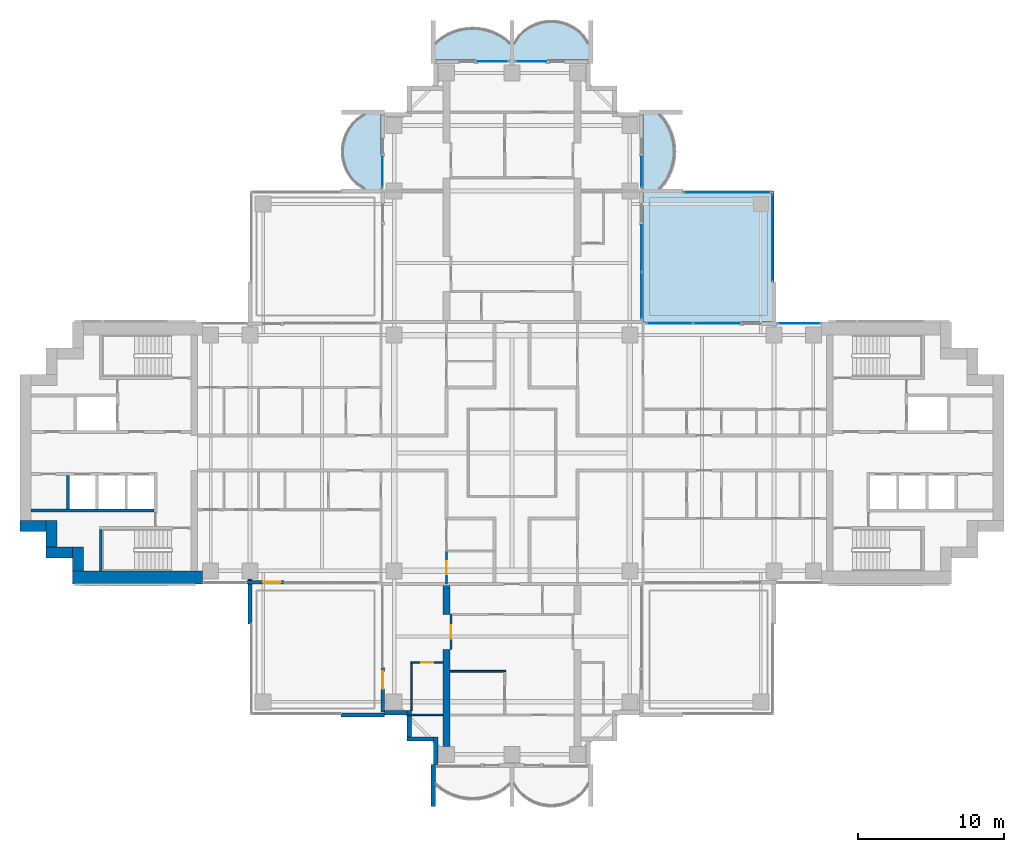
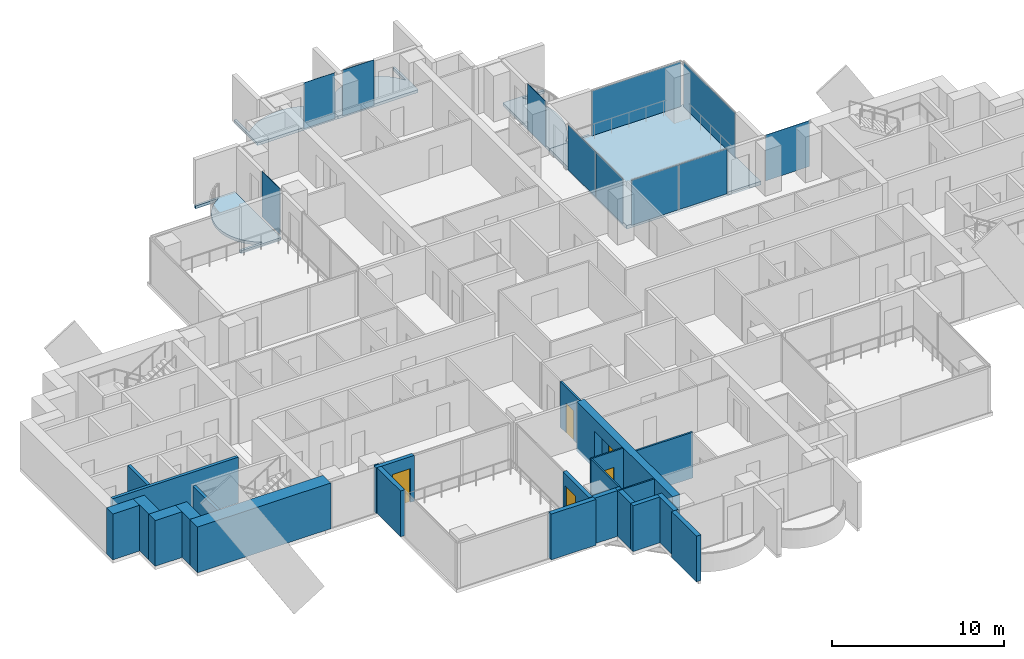
# One storey, part 8 of 19: 24 walls, 11 plates, 5 doors, 5 slabs, 5 openings, 9 elements without a shape of their own.
"""IFC4 building model written with IfcOpenShell, lengths in metres."""

from ifc_helpers import new_model, si_unit, direction, frame, frame_2d, origin, origin_2d, place, context, subcontext, project, spatial, polyline, rectangle, outline, extrude, material, layer, layer_set, material_profile, profile_set, type_object, element, fill, aggregate, save


model = new_model("IFC4")

# Units and contexts
model_context = context("Model", 3, precision=1e-05, world=origin(), true_north=direction((0.0, 1.0)))
body_context = subcontext(model_context, "Body", "Model", "MODEL_VIEW")
ifc_project = project(units=[si_unit("LENGTHUNIT", "METRE"), si_unit("AREAUNIT", "SQUARE_METRE"), si_unit("VOLUMEUNIT", "CUBIC_METRE"), si_unit("PLANEANGLEUNIT", "RADIAN"), si_unit("MASSUNIT", "GRAM", prefix="KILO")], contexts=[model_context])

# Site, building, storey
site_placement = place(None, origin())
site = spatial("IfcSite", under=ifc_project, at=site_placement, CompositionType="ELEMENT")
building_placement = place(site_placement, origin())
building = spatial("IfcBuilding", under=site, at=building_placement, Name="Perihelion Cross Residences", CompositionType="ELEMENT")
storey_placement = place(building_placement, frame((0.0, 0.0, 137.39990234375)))
storey = spatial("IfcBuildingStorey", under=building, at=storey_placement, Name="L33", CompositionType="ELEMENT", Elevation=137.39990234375)

# Slabs
ifc_material_1 = material(Name="Concrete C40/50", Category="concrete")
ifc_layer_1 = layer(ifc_material_1, 0.199951171875)
ifc_layer_set_1 = layer_set([ifc_layer_1], Name="Balcony slab 200")
slab_type_1 = type_object("IfcSlabType", Name="Balcony slab 200", PredefinedType="FLOOR", material=ifc_layer_set_1)
slab_1_placement = place(storey_placement, frame((0.0, 0.0, -0.199951171875)))
element("IfcSlab", 1, at=slab_1_placement, inside=storey, type_object=slab_type_1, Name="Slab BK1 L33 north side east bay 2 balcony", PredefinedType="FLOOR", context=body_context, shape_type="SweptSolid", body=[
    extrude(outline(polyline([(9.0, 18.0), (9.0, 23.39990234375), (11.699951171875, 23.39990234375), (11.699951171875, 23.25), (10.199951171875, 23.25), (10.5400390625, 22.824951171875), (10.792724609375, 22.39990234375), (10.9765625, 21.97509765625), (11.1025390625, 21.550048828125), (11.17578125, 21.125), (11.199951171875, 20.699951171875), (11.17578125, 20.27490234375), (11.1025390625, 19.85009765625), (10.9765625, 19.425048828125), (10.792724609375, 19.0), (10.5400390625, 18.574951171875), (10.199951171875, 18.14990234375), (11.699951171875, 18.14990234375), (11.699951171875, 18.0), (9.0, 18.0)])), origin(), (0.0, 0.0, 1.0), 0.199951171875),
])
slab_2_placement = place(storey_placement, frame((0.0, 0.0, -0.199951171875)))
element("IfcSlab", 2, at=slab_2_placement, inside=storey, type_object=slab_type_1, Name="Slab BK1 L33 north tip north bay 1 balcony", PredefinedType="FLOOR", context=body_context, shape_type="SweptSolid", body=[
    extrude(outline(polyline([(5.39990234375, 27.0), (0.0, 27.0), (0.0, 29.699951171875), (0.14990234375, 29.699951171875), (0.14990234375, 28.199951171875), (0.489990234375, 28.6767578125), (0.830078125, 29.007080078125), (1.169921875, 29.2490234375), (1.510009765625, 29.42724609375), (1.85009765625, 29.553466796875), (2.18994140625, 29.63427734375), (2.530029296875, 29.674072265625), (2.8701171875, 29.674072265625), (3.2099609375, 29.63427734375), (3.550048828125, 29.553466796875), (3.889892578125, 29.42724609375), (4.22998046875, 29.2490234375), (4.570068359375, 29.007080078125), (4.909912109375, 28.6767578125), (5.25, 28.199951171875), (5.25, 29.699951171875), (5.39990234375, 29.699951171875), (5.39990234375, 27.0)])), origin(), (0.0, 0.0, 1.0), 0.199951171875),
])
slab_3_placement = place(storey_placement, frame((0.0, 0.0, -0.199951171875)))
element("IfcSlab", 3, at=slab_3_placement, inside=storey, type_object=slab_type_1, Name="Slab BK1 L33 north tip north bay 2 balcony", PredefinedType="FLOOR", context=body_context, shape_type="SweptSolid", body=[
    extrude(outline(polyline([(0.0, 27.0), (-5.39990234375, 27.0), (-5.39990234375, 29.699951171875), (-5.25, 29.699951171875), (-5.25, 28.199951171875), (-4.824951171875, 28.5400390625), (-4.39990234375, 28.792724609375), (-3.97509765625, 28.9765625), (-3.550048828125, 29.1025390625), (-3.125, 29.17578125), (-2.699951171875, 29.199951171875), (-2.27490234375, 29.17578125), (-1.85009765625, 29.1025390625), (-1.425048828125, 28.9765625), (-1.0, 28.792724609375), (-0.574951171875, 28.5400390625), (-0.14990234375, 28.199951171875), (-0.14990234375, 29.699951171875), (0.0, 29.699951171875), (0.0, 27.0)])), origin(), (0.0, 0.0, 1.0), 0.199951171875),
])
slab_4_placement = place(storey_placement, frame((0.0, 0.0, -0.199951171875)))
element("IfcSlab", 4, at=slab_4_placement, inside=storey, type_object=slab_type_1, Name="Slab BK1 L33 north side west bay 1 balcony", PredefinedType="FLOOR", context=body_context, shape_type="SweptSolid", body=[
    extrude(outline(polyline([(-9.0, 23.39990234375), (-9.0, 18.0), (-11.699951171875, 18.0), (-11.699951171875, 18.14990234375), (-10.199951171875, 18.14990234375), (-10.6767578125, 18.489990234375), (-11.007080078125, 18.830078125), (-11.2490234375, 19.169921875), (-11.42724609375, 19.510009765625), (-11.553466796875, 19.85009765625), (-11.63427734375, 20.18994140625), (-11.674072265625, 20.530029296875), (-11.674072265625, 20.8701171875), (-11.63427734375, 21.2099609375), (-11.553466796875, 21.550048828125), (-11.42724609375, 21.889892578125), (-11.2490234375, 22.22998046875), (-11.007080078125, 22.570068359375), (-10.6767578125, 22.909912109375), (-10.199951171875, 23.25), (-11.699951171875, 23.25), (-11.699951171875, 23.39990234375), (-9.0, 23.39990234375)])), origin(), (0.0, 0.0, 1.0), 0.199951171875),
])

# Curtain wall, plate
ifc_material_2 = material(Name="Bronze anodised aluminium, tinted glazing", Category="aluminium")
curtain_wall_type_1 = type_object("IfcCurtainWallType", Name="CW1", PredefinedType="NOTDEFINED", material=ifc_material_2)
curtain_wall_1_placement = place(storey_placement, origin())
curtain_wall_1 = element("IfcCurtainWall", 5, at=curtain_wall_1_placement, inside=storey, type_object=curtain_wall_type_1, Name="Curtain wall CW1 L33 east side north bay 1", PredefinedType="NOTDEFINED")
ifc_material_3 = material(Name="Tinted laminated glass", Category="glass")
ifc_layer_2 = layer(ifc_material_3, 0.028076171875)
ifc_layer_set_2 = layer_set([ifc_layer_2], Name="CW1 panel")
plate_type_1 = type_object("IfcPlateType", Name="CW1 panel", PredefinedType="CURTAIN_PANEL", material=ifc_layer_set_2)
plate_1_placement = place(storey_placement, frame((19.72509765625, 8.89990234375, 0.0), z_axis=(0.0, 0.0, 1.0), x_axis=(-1.0, 0.0, 0.0)))
plate_1 = element("IfcPlate", 6, at=plate_1_placement, type_object=plate_type_1, Name="CW1 panel 1", PredefinedType="CURTAIN_PANEL", context=body_context, shape_type="SweptSolid", body=[
    extrude(rectangle(XDim=2.929931640625, YDim=0.028076171875, at=origin_2d()), origin(), (0.0, 0.0, 1.0), 3.25),
])
aggregate(curtain_wall_1, [plate_1])

# Curtain wall, plates
curtain_wall_2_placement = place(storey_placement, origin())
curtain_wall_2 = element("IfcCurtainWall", 7, at=curtain_wall_2_placement, inside=storey, type_object=curtain_wall_type_1, Name="Curtain wall CW1 L33 east side north bay 2", PredefinedType="NOTDEFINED")
plate_2_placement = place(storey_placement, frame((14.052490234375, 8.89990234375, 0.000244140625), z_axis=(0.0, 0.0, 1.0), x_axis=(-1.0, 0.0, 0.0)))
plate_2 = element("IfcPlate", 8, at=plate_2_placement, type_object=plate_type_1, Name="CW1 panel 1", PredefinedType="CURTAIN_PANEL", context=body_context, shape_type="SweptSolid", body=[
    extrude(rectangle(XDim=3.195068359375, YDim=0.028076171875, at=origin_2d()), origin(), (0.0, 0.0, 1.0), 3.18994140625),
])
plate_3_placement = place(storey_placement, frame((10.827392578125, 8.89990234375, 0.000244140625), z_axis=(0.0, 0.0, 1.0), x_axis=(-1.0, 0.0, 0.0)))
plate_3 = element("IfcPlate", 9, at=plate_3_placement, type_object=plate_type_1, Name="CW1 panel 2", PredefinedType="CURTAIN_PANEL", context=body_context, shape_type="SweptSolid", body=[
    extrude(rectangle(XDim=3.135009765625, YDim=0.028076171875, at=origin_2d()), origin(), (0.0, 0.0, 1.0), 3.18994140625),
])
aggregate(curtain_wall_2, [plate_2, plate_3])

curtain_wall_3_placement = place(storey_placement, origin())
curtain_wall_3 = element("IfcCurtainWall", 10, at=curtain_wall_3_placement, inside=storey, type_object=curtain_wall_type_1, Name="Curtain wall CW1 L33 north side east bay 1", PredefinedType="NOTDEFINED")
plate_4_placement = place(storey_placement, frame((8.89990234375, 10.827392578125, 0.000244140625), z_axis=(0.0, 0.0, 1.0), x_axis=(0.0, 1.0, 0.0)))
plate_4 = element("IfcPlate", 11, at=plate_4_placement, type_object=plate_type_1, Name="CW1 panel 1", PredefinedType="CURTAIN_PANEL", context=body_context, shape_type="SweptSolid", body=[
    extrude(rectangle(XDim=3.135009765625, YDim=0.028076171875, at=origin_2d()), origin(), (0.0, 0.0, 1.0), 3.18994140625),
])
plate_5_placement = place(storey_placement, frame((8.89990234375, 14.052490234375, 0.000244140625), z_axis=(0.0, 0.0, 1.0), x_axis=(0.0, 1.0, 0.0)))
plate_5 = element("IfcPlate", 12, at=plate_5_placement, type_object=plate_type_1, Name="CW1 panel 2", PredefinedType="CURTAIN_PANEL", context=body_context, shape_type="SweptSolid", body=[
    extrude(rectangle(XDim=3.195068359375, YDim=0.028076171875, at=origin_2d()), origin(), (0.0, 0.0, 1.0), 3.18994140625),
])
aggregate(curtain_wall_3, [plate_4, plate_5])

# Curtain wall, plate
curtain_wall_4_placement = place(storey_placement, origin())
curtain_wall_4 = element("IfcCurtainWall", 13, at=curtain_wall_4_placement, inside=storey, type_object=curtain_wall_type_1, Name="Curtain wall CW1 L33 north side east bay 2", PredefinedType="NOTDEFINED")
plate_6_placement = place(storey_placement, frame((8.89990234375, 19.304931640625, 0.0), z_axis=(0.0, 0.0, 1.0), x_axis=(0.0, 1.0, 0.0)))
plate_6 = element("IfcPlate", 14, at=plate_6_placement, type_object=plate_type_1, Name="CW1 panel 1", PredefinedType="CURTAIN_PANEL", context=body_context, shape_type="SweptSolid", body=[
    extrude(rectangle(XDim=2.090087890625, YDim=0.028076171875, at=origin_2d()), origin(), (0.0, 0.0, 1.0), 3.25),
])
aggregate(curtain_wall_4, [plate_6])

curtain_wall_5_placement = place(storey_placement, origin())
curtain_wall_5 = element("IfcCurtainWall", 15, at=curtain_wall_5_placement, inside=storey, type_object=curtain_wall_type_1, Name="Curtain wall CW1 L33 north tip north bay 1", PredefinedType="NOTDEFINED")
plate_7_placement = place(storey_placement, frame((1.304931640625, 26.89990234375, 0.0), z_axis=(0.0, 0.0, 1.0), x_axis=(-1.0, 0.0, 0.0)))
plate_7 = element("IfcPlate", 16, at=plate_7_placement, type_object=plate_type_1, Name="CW1 panel 1", PredefinedType="CURTAIN_PANEL", context=body_context, shape_type="SweptSolid", body=[
    extrude(rectangle(XDim=2.090087890625, YDim=0.028076171875, at=origin_2d()), origin(), (0.0, 0.0, 1.0), 3.25),
])
aggregate(curtain_wall_5, [plate_7])

curtain_wall_6_placement = place(storey_placement, origin())
curtain_wall_6 = element("IfcCurtainWall", 17, at=curtain_wall_6_placement, inside=storey, type_object=curtain_wall_type_1, Name="Curtain wall CW1 L33 north tip north bay 2", PredefinedType="NOTDEFINED")
plate_8_placement = place(storey_placement, frame((-1.304931640625, 26.89990234375, 0.0), z_axis=(0.0, 0.0, 1.0), x_axis=(-1.0, 0.0, 0.0)))
plate_8 = element("IfcPlate", 18, at=plate_8_placement, type_object=plate_type_1, Name="CW1 panel 1", PredefinedType="CURTAIN_PANEL", context=body_context, shape_type="SweptSolid", body=[
    extrude(rectangle(XDim=2.090087890625, YDim=0.028076171875, at=origin_2d()), origin(), (0.0, 0.0, 1.0), 3.25),
])
aggregate(curtain_wall_6, [plate_8])

curtain_wall_7_placement = place(storey_placement, origin())
curtain_wall_7 = element("IfcCurtainWall", 19, at=curtain_wall_7_placement, inside=storey, type_object=curtain_wall_type_1, Name="Curtain wall CW1 L33 north side west bay 1", PredefinedType="NOTDEFINED")
plate_9_placement = place(storey_placement, frame((-8.89990234375, 19.304931640625, 0.0), z_axis=(0.0, 0.0, 1.0), x_axis=(0.0, -1.0, 0.0)))
plate_9 = element("IfcPlate", 20, at=plate_9_placement, type_object=plate_type_1, Name="CW1 panel 1", PredefinedType="CURTAIN_PANEL", context=body_context, shape_type="SweptSolid", body=[
    extrude(rectangle(XDim=2.090087890625, YDim=0.028076171875, at=origin_2d()), origin(), (0.0, 0.0, 1.0), 3.25),
])
aggregate(curtain_wall_7, [plate_9])

ifc_material_4 = material(Name="Bronze anodised aluminium, tinted glazing", Category="aluminium")
curtain_wall_type_2 = type_object("IfcCurtainWallType", Name="CW4", PredefinedType="NOTDEFINED", material=ifc_material_4)
curtain_wall_8_placement = place(storey_placement, origin())
curtain_wall_8 = element("IfcCurtainWall", 21, at=curtain_wall_8_placement, inside=storey, type_object=curtain_wall_type_2, Name="Curtain wall CW4 L33 pocket north-east 1 1", PredefinedType="NOTDEFINED")
ifc_material_5 = material(Name="Tinted laminated glass", Category="glass")
ifc_layer_3 = layer(ifc_material_5, 0.030029296875)
ifc_layer_set_3 = layer_set([ifc_layer_3], Name="CW4 panel")
plate_type_2 = type_object("IfcPlateType", Name="CW4 panel", PredefinedType="CURTAIN_PANEL", material=ifc_layer_set_3)
plate_10_placement = place(storey_placement, frame((14.784912109375, 17.89990234375, 0.000244140625), z_axis=(0.0, 0.0, 1.0), x_axis=(1.0, 0.0, 0.0)))
plate_10 = element("IfcPlate", 22, at=plate_10_placement, type_object=plate_type_2, Name="CW4 panel 1", PredefinedType="CURTAIN_PANEL", context=body_context, shape_type="SweptSolid", body=[
    extrude(rectangle(XDim=5.969970703125, YDim=0.030029296875, at=origin_2d()), origin(), (0.0, 0.0, 1.0), 3.18994140625),
])
aggregate(curtain_wall_8, [plate_10])

curtain_wall_9_placement = place(storey_placement, origin())
curtain_wall_9 = element("IfcCurtainWall", 23, at=curtain_wall_9_placement, inside=storey, type_object=curtain_wall_type_2, Name="Curtain wall CW4 L33 pocket north-east 1 2", PredefinedType="NOTDEFINED")
plate_11_placement = place(storey_placement, frame((17.89990234375, 14.784912109375, 0.000244140625), z_axis=(0.0, 0.0, 1.0), x_axis=(0.0, -1.0, 0.0)))
plate_11 = element("IfcPlate", 24, at=plate_11_placement, type_object=plate_type_2, Name="CW4 panel 1", PredefinedType="CURTAIN_PANEL", context=body_context, shape_type="SweptSolid", body=[
    extrude(rectangle(XDim=5.969970703125, YDim=0.030029296875, at=origin_2d()), origin(), (0.0, 0.0, 1.0), 3.18994140625),
])
aggregate(curtain_wall_9, [plate_11])

# Slab
ifc_material_6 = material(Name="Concrete C40/50", Category="concrete")
ifc_layer_4 = layer(ifc_material_6, 0.25)
ifc_layer_set_4 = layer_set([ifc_layer_4], Name="Winter garden slab")
slab_type_2 = type_object("IfcSlabType", Name="Winter garden slab", PredefinedType="FLOOR", material=ifc_layer_set_4)
slab_5_placement = place(storey_placement, frame((0.0, 0.0, -0.25)))
element("IfcSlab", 25, at=slab_5_placement, inside=storey, type_object=slab_type_2, Name="Slab BK3 L33 pocket north-east", PredefinedType="FLOOR", context=body_context, shape_type="SweptSolid", body=[
    extrude(outline(polyline([(18.0, 9.0), (18.0, 18.0), (9.0, 18.0), (9.0, 9.0), (18.0, 9.0)])), origin(), (0.0, 0.0, 1.0), 0.25),
])

# Wall, opening, door
ifc_material_7 = material(Name="Concrete C30/37, bronze-clad", Category="concrete")
ifc_layer_5 = layer(ifc_material_7, 0.25)
ifc_layer_set_5 = layer_set([ifc_layer_5], Name="Bronze-clad pier wall 250")
wall_type_1 = type_object("IfcWallType", Name="Bronze-clad pier wall 250", PredefinedType="SOLIDWALL", material=ifc_layer_set_5)
wall_1_placement = place(storey_placement, frame((-18.199951171875, -8.875, 0.0), z_axis=(0.0, 0.0, 1.0), x_axis=(1.0, 0.0, 0.0)))
wall_1 = element("IfcWall", 26, at=wall_1_placement, inside=storey, type_object=wall_type_1, Name="Wall FW1 L33 west side south bay 2 pier", PredefinedType="SOLIDWALL", context=body_context, shape_type="SweptSolid", body=[
    extrude(rectangle(XDim=2.550048828125, YDim=0.25, at=frame_2d((1.27490234375, 0.0))), origin(), (0.0, 0.0, 1.0), 3.25),
])
opening_1_placement = place(wall_1_placement, frame((1.10009765625, 0.0, 0.0)))
opening_1 = element("IfcOpeningElement", 27, at=opening_1_placement, cuts=wall_1, Name="Opening L33.E09", PredefinedType="OPENING", context=body_context, shape_type="SweptSolid", body=[
    extrude(rectangle(XDim=1.199951171875, YDim=2.39990234375, at=frame_2d((0.60009765625, 1.199951171875))), frame((0.0, 0.135009765625, 0.0), z_axis=(0.0, -1.0, 0.0), x_axis=(1.0, 0.0, 0.0)), (0.0, 0.0, 1.0), 0.27001953125),
])
ifc_material_8 = material(Name="Bronze anodised aluminium, glazed", Category="aluminium")
door_type_1 = type_object("IfcDoorType", Name="Balcony door 1200 x 2400", OperationType="NOTDEFINED", PredefinedType="DOOR", material=ifc_material_8)
door_1_placement = place(opening_1_placement, origin())
door_1 = element("IfcDoor", 28, at=door_1_placement, inside=storey, type_object=door_type_1, Name="Door L33.E09 west side south bay 2", OperationType="SINGLE_SWING_RIGHT", OverallHeight=2.39990234375, OverallWidth=1.199951171875, PredefinedType="DOOR", context=body_context, shape_type="SweptSolid", body=[
    extrude(rectangle(XDim=1.199951171875, YDim=2.39990234375, at=frame_2d((0.60009765625, 1.199951171875))), frame((0.0, 0.02490234375, 0.0), z_axis=(0.0, -1.0, 0.0), x_axis=(1.0, 0.0, 0.0)), (0.0, 0.0, 1.0), 0.050048828125),
])
fill(opening_1, door_1)

wall_2_placement = place(storey_placement, frame((-8.875, -14.75, 0.0), z_axis=(0.0, 0.0, 1.0), x_axis=(0.0, -1.0, 0.0)))
wall_2 = element("IfcWall", 29, at=wall_2_placement, inside=storey, type_object=wall_type_1, Name="Wall FW1 L33 south side west bay 1 pier", PredefinedType="SOLIDWALL", context=body_context, shape_type="SweptSolid", body=[
    extrude(rectangle(XDim=3.050048828125, YDim=0.25, at=frame_2d((1.52490234375, 0.0))), origin(), (0.0, 0.0, 1.0), 3.25),
])
opening_2_placement = place(wall_2_placement, frame((0.25, 0.0, 0.0)))
opening_2 = element("IfcOpeningElement", 30, at=opening_2_placement, cuts=wall_2, Name="Opening L33.E10", PredefinedType="OPENING", context=body_context, shape_type="SweptSolid", body=[
    extrude(rectangle(XDim=1.199951171875, YDim=2.39990234375, at=frame_2d((0.60009765625, 1.199951171875))), frame((0.0, 0.135009765625, 0.0), z_axis=(0.0, -1.0, 0.0), x_axis=(1.0, 0.0, 0.0)), (0.0, 0.0, 1.0), 0.27001953125),
])
door_2_placement = place(opening_2_placement, origin())
door_2 = element("IfcDoor", 31, at=door_2_placement, inside=storey, type_object=door_type_1, Name="Door L33.E10 south side west bay 1", OperationType="SINGLE_SWING_LEFT", OverallHeight=2.39990234375, OverallWidth=1.199951171875, PredefinedType="DOOR", context=body_context, shape_type="SweptSolid", body=[
    extrude(rectangle(XDim=1.199951171875, YDim=2.39990234375, at=frame_2d((0.60009765625, 1.199951171875))), frame((0.0, 0.02490234375, 0.0), z_axis=(0.0, -1.0, 0.0), x_axis=(1.0, 0.0, 0.0)), (0.0, 0.0, 1.0), 0.050048828125),
])
fill(opening_2, door_2)

# Walls
ifc_material_9 = material(Name="Concrete C30/37, bronze-clad", Category="concrete")
ifc_layer_6 = layer(ifc_material_9, 0.300048828125)
ifc_layer_set_6 = layer_set([ifc_layer_6], Name="Bronze-clad serration wall 300")
wall_type_2 = type_object("IfcWallType", Name="Bronze-clad serration wall 300", PredefinedType="SOLIDWALL", material=ifc_layer_set_6)
wall_3_placement = place(storey_placement, frame((-8.75, -17.85009765625, 0.0), z_axis=(0.0, 0.0, 1.0), x_axis=(1.0, 0.0, 0.0)))
element("IfcWall", 32, at=wall_3_placement, inside=storey, type_object=wall_type_2, Name="Wall SR1 L33 south corner south-west 1", PredefinedType="SOLIDWALL", context=body_context, shape_type="SweptSolid", body=[
    extrude(rectangle(XDim=1.550048828125, YDim=0.300048828125, at=frame_2d((0.77490234375, 0.0))), origin(), (0.0, 0.0, 1.0), 3.25),
])
for number, where, z_axis, x_axis, name in (
    (33, (-7.050048828125, -17.699951171875, 0.0), (0.0, 0.0, 1.0), (0.0, -1.0, 0.0), "Wall SR1 L33 south corner south-west 2"),
    (34, (-7.199951171875, -19.64990234375, 0.0), (0.0, 0.0, 1.0), (1.0, 0.0, 0.0), "Wall SR1 L33 south corner south-west 3"),
):
    element("IfcWall", number, at=place(storey_placement, frame(where, z_axis=z_axis, x_axis=x_axis)), inside=storey, type_object=wall_type_2, Name=name, PredefinedType="SOLIDWALL", context=body_context, shape_type="SweptSolid", body=[
        extrude(rectangle(XDim=1.800048828125, YDim=0.300048828125, at=frame_2d((0.89990234375, 0.0))), origin(), (0.0, 0.0, 1.0), 3.25),
    ])
wall_4_placement = place(storey_placement, frame((-5.25, -19.5, 0.0), z_axis=(0.0, 0.0, 1.0), x_axis=(0.0, -1.0, 0.0)))
element("IfcWall", 35, at=wall_4_placement, inside=storey, type_object=wall_type_2, Name="Wall SR1 L33 south corner south-west 4", PredefinedType="SOLIDWALL", context=body_context, shape_type="SweptSolid", body=[
    extrude(rectangle(XDim=1.919921875, YDim=0.300048828125, at=frame_2d((0.9599609375, 0.0))), origin(), (0.0, 0.0, 1.0), 3.25),
])
ifc_material_10 = material(Name="Concrete C60/75", Category="concrete")
ifc_layer_7 = layer(ifc_material_10, 0.75)
ifc_layer_set_7 = layer_set([ifc_layer_7], Name="Core wall, outer 750")
wall_type_3 = type_object("IfcWallType", Name="Core wall, outer 750", PredefinedType="SHEAR", material=ifc_layer_set_7)
wall_5_placement = place(storey_placement, frame((-29.824951171875, -8.10009765625, 0.0), z_axis=(0.0, 0.0, 1.0), x_axis=(0.0, 1.0, 0.0)))
element("IfcWall", 36, at=wall_5_placement, inside=storey, type_object=wall_type_3, Name="West core core wall, outer", PredefinedType="SHEAR", context=body_context, shape_type="SweptSolid", body=[
    extrude(rectangle(XDim=1.650146484375, YDim=0.75, at=frame_2d((0.8251953125, 0.0))), origin(), (0.0, 0.0, 1.0), 3.25),
])
for number, where, z_axis, x_axis, name in (
    (37, (-32.0, -6.824951171875, 0.0), (0.0, 0.0, 1.0), (1.0, 0.0, 0.0), "West core core wall, outer"),
    (38, (-31.625, -6.449951171875, 0.0), (0.0, 0.0, 1.0), (0.0, 1.0, 0.0), "West core core wall, outer"),
    (39, (-33.800048828125, -5.02490234375, 0.0), (0.0, 0.0, 1.0), (1.0, 0.0, 0.0), "West core core wall, outer"),
):
    element("IfcWall", number, at=place(storey_placement, frame(where, z_axis=z_axis, x_axis=x_axis)), inside=storey, type_object=wall_type_3, Name=name, PredefinedType="SHEAR", context=body_context, shape_type="SweptSolid", body=[
        extrude(rectangle(XDim=1.800048828125, YDim=0.75, at=frame_2d((0.89990234375, 0.0))), origin(), (0.0, 0.0, 1.0), 3.25),
    ])
ifc_material_11 = material(Name="Concrete C60/75", Category="concrete")
ifc_layer_8 = layer(ifc_material_11, 0.89990234375)
ifc_layer_set_8 = layer_set([ifc_layer_8], Name="Core wall, outer 900")
wall_type_4 = type_object("IfcWallType", Name="Core wall, outer 900", PredefinedType="SHEAR", material=ifc_layer_set_8)
wall_6_placement = place(storey_placement, frame((-30.199951171875, -8.550048828125, 0.0), z_axis=(0.0, 0.0, 1.0), x_axis=(1.0, 0.0, 0.0)))
element("IfcWall", 40, at=wall_6_placement, inside=storey, type_object=wall_type_4, Name="West core core wall, outer", PredefinedType="SHEAR", context=body_context, shape_type="SweptSolid", body=[
    extrude(rectangle(XDim=8.949951171875, YDim=0.89990234375, at=frame_2d((4.47509765625, 0.0))), origin(), (0.0, 0.0, 1.0), 3.25),
])

# Wall, opening, door
ifc_material_12 = material(Name="Plasterboard partition")
ifc_layer_9 = layer(ifc_material_12, 0.1201171875)
ifc_layer_set_9 = layer_set([ifc_layer_9], Name="Infill panel 120")
wall_type_5 = type_object("IfcWallType", Name="Infill panel 120", PredefinedType="PARTITIONING", material=ifc_layer_set_9)
wall_7_placement = place(storey_placement, frame((-4.18994140625, -11.10009765625, 0.0), z_axis=(0.0, 0.0, 1.0), x_axis=(0.0, -1.0, 0.0)))
wall_7 = element("IfcWall", 41, at=wall_7_placement, inside=storey, type_object=wall_type_5, Name="Partition L33 WI06", PredefinedType="PARTITIONING", context=body_context, shape_type="SweptSolid", body=[
    extrude(rectangle(XDim=2.39990234375, YDim=0.1201171875, at=frame_2d((1.199951171875, 0.0))), origin(), (0.0, 0.0, 1.0), 2.400146484375),
])
opening_3_placement = place(wall_7_placement, frame((0.75, 0.0, 0.0)))
opening_3 = element("IfcOpeningElement", 42, at=opening_3_placement, cuts=wall_7, Name="Opening L33.A55", PredefinedType="OPENING", context=body_context, shape_type="SweptSolid", body=[
    extrude(rectangle(XDim=0.89990234375, YDim=2.10009765625, at=frame_2d((0.449951171875, 1.050048828125))), frame((0.0, 0.070068359375, 0.0), z_axis=(0.0, -1.0, 0.0), x_axis=(1.0, 0.0, 0.0)), (0.0, 0.0, 1.0), 0.14013671875),
])
ifc_material_13 = material(Name="Timber door leaf", Category="wood")
door_type_2 = type_object("IfcDoorType", Name="Interior room door 900 x 2100", OperationType="SINGLE_SWING_LEFT", PredefinedType="DOOR", material=ifc_material_13)
door_3_placement = place(opening_3_placement, origin())
door_3 = element("IfcDoor", 43, at=door_3_placement, inside=storey, type_object=door_type_2, Name="Door L33.A55", OperationType="SINGLE_SWING_LEFT", OverallHeight=2.10009765625, OverallWidth=0.89990234375, PredefinedType="DOOR", context=body_context, shape_type="SweptSolid", body=[
    extrude(rectangle(XDim=0.89990234375, YDim=2.10009765625, at=frame_2d((0.449951171875, 1.050048828125))), frame((0.0, 0.02490234375, 0.0), z_axis=(0.0, -1.0, 0.0), x_axis=(1.0, 0.0, 0.0)), (0.0, 0.0, 1.0), 0.050048828125),
])
fill(opening_3, door_3)

ifc_material_14 = material(Name="Plasterboard partition")
ifc_layer_10 = layer(ifc_material_14, 0.1201171875)
ifc_layer_set_10 = layer_set([ifc_layer_10], Name="Partition wall 120")
wall_type_6 = type_object("IfcWallType", Name="Partition wall 120", PredefinedType="PARTITIONING", material=ifc_layer_set_10)
wall_8_placement = place(storey_placement, frame((-4.5, -6.75, 0.0), z_axis=(0.0, 0.0, 1.0), x_axis=(0.0, -1.0, 0.0)))
wall_8 = element("IfcWall", 44, at=wall_8_placement, inside=storey, type_object=wall_type_6, Name="Partition L33 W062", PredefinedType="PARTITIONING", context=body_context, shape_type="SweptSolid", body=[
    extrude(rectangle(XDim=2.25, YDim=0.1201171875, at=frame_2d((1.125, 0.0))), origin(), (0.0, 0.0, 1.0), 3.25),
])
opening_4_placement = place(wall_8_placement, frame((0.675048828125, 0.0, 0.0)))
opening_4 = element("IfcOpeningElement", 45, at=opening_4_placement, cuts=wall_8, Name="Opening L33.A28", PredefinedType="OPENING", context=body_context, shape_type="SweptSolid", body=[
    extrude(rectangle(XDim=0.89990234375, YDim=2.10009765625, at=frame_2d((0.449951171875, 1.050048828125))), frame((0.0, 0.070068359375, 0.0), z_axis=(0.0, -1.0, 0.0), x_axis=(1.0, 0.0, 0.0)), (0.0, 0.0, 1.0), 0.14013671875),
])
door_4_placement = place(opening_4_placement, origin())
door_4 = element("IfcDoor", 46, at=door_4_placement, inside=storey, type_object=door_type_2, Name="Door L33.A28", OperationType="SINGLE_SWING_RIGHT", OverallHeight=2.10009765625, OverallWidth=0.89990234375, PredefinedType="DOOR", context=body_context, shape_type="SweptSolid", body=[
    extrude(rectangle(XDim=0.89990234375, YDim=2.10009765625, at=frame_2d((0.449951171875, 1.050048828125))), frame((0.0, 0.02490234375, 0.0), z_axis=(0.0, -1.0, 0.0), x_axis=(1.0, 0.0, 0.0)), (0.0, 0.0, 1.0), 0.050048828125),
])
fill(opening_4, door_4)

# Walls
wall_9_placement = place(storey_placement, frame((-0.43994140625, -15.0, 0.0), z_axis=(0.0, 0.0, 1.0), x_axis=(-1.0, 0.0, 0.0)))
element("IfcWall", 47, at=wall_9_placement, inside=storey, type_object=wall_type_6, Name="Partition L33 W081", PredefinedType="PARTITIONING", context=body_context, shape_type="SweptSolid", body=[
    extrude(rectangle(XDim=3.81005859375, YDim=0.1201171875, at=frame_2d((1.905029296875, 0.0))), origin(), (0.0, 0.0, 1.0), 3.25),
])
ifc_material_15 = material(Name="Precast concrete C50/60", Category="concrete")
ifc_layer_11 = layer(ifc_material_15, 0.300048828125)
ifc_layer_set_11 = layer_set([ifc_layer_11], Name="Precast concrete C50/60 blade wall 300")
wall_type_7 = type_object("IfcWallType", Name="Precast concrete C50/60 blade wall 300", PredefinedType="SOLIDWALL", material=ifc_layer_set_11)
wall_10_placement = place(storey_placement, frame((-18.0, -8.64990234375, 0.0), z_axis=(0.0, 0.0, 1.0), x_axis=(0.0, -1.0, 0.0)))
element("IfcWall", 48, at=wall_10_placement, inside=storey, type_object=wall_type_7, Name="Wall BL1 L33 no. 1", PredefinedType="SOLIDWALL", context=body_context, shape_type="SweptSolid", body=[
    extrude(rectangle(XDim=3.090087890625, YDim=0.300048828125, at=frame_2d((1.544921875, 0.0))), origin(), (0.0, 0.0, 1.0), 3.25),
])
wall_11_placement = place(storey_placement, frame((-8.75, -18.0, 0.0), z_axis=(0.0, 0.0, 1.0), x_axis=(-1.0, 0.0, 0.0)))
element("IfcWall", 49, at=wall_11_placement, inside=storey, type_object=wall_type_7, Name="Wall BL1 L33 no. 5", PredefinedType="SOLIDWALL", context=body_context, shape_type="SweptSolid", body=[
    extrude(rectangle(XDim=2.989990234375, YDim=0.300048828125, at=frame_2d((1.4951171875, 0.0))), origin(), (0.0, 0.0, 1.0), 3.25),
])
wall_12_placement = place(storey_placement, frame((-5.39990234375, -21.419921875, 0.0), z_axis=(0.0, 0.0, 1.0), x_axis=(0.0, -1.0, 0.0)))
element("IfcWall", 50, at=wall_12_placement, inside=storey, type_object=wall_type_7, Name="Wall BL1 L33 no. 3", PredefinedType="SOLIDWALL", context=body_context, shape_type="SweptSolid", body=[
    extrude(rectangle(XDim=2.880126953125, YDim=0.300048828125, at=frame_2d((1.43994140625, 0.0))), origin(), (0.0, 0.0, 1.0), 3.25),
])
ifc_material_16 = material(Name="Concrete C50/60", Category="concrete")
ifc_layer_12 = layer(ifc_material_16, 0.199951171875)
ifc_layer_set_12 = layer_set([ifc_layer_12], Name="Shaft wall 200")
wall_type_8 = type_object("IfcWallType", Name="Shaft wall 200", PredefinedType="SOLIDWALL", material=ifc_layer_set_12)
wall_13_placement = place(storey_placement, frame((-33.050048828125, -3.949951171875, 0.0), z_axis=(0.0, 0.0, 1.0), x_axis=(1.0, 0.0, 0.0)))
element("IfcWall", 51, at=wall_13_placement, inside=storey, type_object=wall_type_8, Name="West core shaft wall", PredefinedType="SOLIDWALL", context=body_context, shape_type="SweptSolid", body=[
    extrude(rectangle(XDim=8.449951171875, YDim=0.199951171875, at=frame_2d((4.22509765625, 0.0))), origin(), (0.0, 0.0, 1.0), 3.25),
])
wall_14_placement = place(storey_placement, frame((-30.5, -3.85009765625, 0.0), z_axis=(0.0, 0.0, 1.0), x_axis=(0.0, 1.0, 0.0)))
element("IfcWall", 52, at=wall_14_placement, inside=storey, type_object=wall_type_8, Name="West core shaft wall", PredefinedType="SOLIDWALL", context=body_context, shape_type="SweptSolid", body=[
    extrude(rectangle(XDim=2.300048828125, YDim=0.199951171875, at=frame_2d((1.14990234375, 0.0))), origin(), (0.0, 0.0, 1.0), 3.25),
])
ifc_material_17 = material(Name="Concrete C50/60", Category="concrete")
ifc_layer_13 = layer(ifc_material_17, 0.199951171875)
ifc_layer_set_13 = layer_set([ifc_layer_13], Name="Stair wall 200")
wall_type_9 = type_object("IfcWallType", Name="Stair wall 200", PredefinedType="SOLIDWALL", material=ifc_layer_set_13)
wall_15_placement = place(storey_placement, frame((-28.25, -8.10009765625, 0.0), z_axis=(0.0, 0.0, 1.0), x_axis=(0.0, 1.0, 0.0)))
element("IfcWall", 53, at=wall_15_placement, inside=storey, type_object=wall_type_9, Name="West core stair wall", PredefinedType="SOLIDWALL", context=body_context, shape_type="SweptSolid", body=[
    extrude(rectangle(XDim=2.85009765625, YDim=0.199951171875, at=frame_2d((1.425048828125, 0.0))), origin(), (0.0, 0.0, 1.0), 3.25),
])
ifc_material_18 = material(Name="Concrete C60/75", Category="concrete")
ifc_material_profile = material_profile(ifc_material_18, outline(polyline([(0.0, 0.0), (6.64990234375, 0.0), (6.64990234375, 2.64990234375), (9.050048828125, 2.64990234375), (9.050048828125, 0.0), (11.14990234375, 0.0), (11.14990234375, 3.5), (0.0, 3.5), (0.0, 0.0)])), Name="Tip spine wall")
ifc_profile_set = profile_set([ifc_material_profile], Name="Concrete C60/75")
wall_type_10 = type_object("IfcWallType", Name="Tip spine wall 500 with 1 door openings 11150 long 3500 high concrete C60/75", PredefinedType="SHEAR", material=ifc_profile_set)
wall_16_placement = place(storey_placement, frame((-4.75, -20.14990234375, -0.25), z_axis=(1.0, 0.0, 0.0), x_axis=(0.0, 1.0, 0.0)))
element("IfcWall", 54, at=wall_16_placement, inside=storey, type_object=wall_type_10, Name="Shear wall SW33 L33 south west", PredefinedType="SHEAR", context=body_context, shape_type="SweptSolid", body=[
    extrude(outline(polyline([(0.0, 0.0), (6.64990234375, 0.0), (6.64990234375, 2.64990234375), (9.050048828125, 2.64990234375), (9.050048828125, 0.0), (11.14990234375, 0.0), (11.14990234375, 3.5), (0.0, 3.5), (0.0, 0.0)])), origin(), (0.0, 0.0, 1.0), 0.5),
])

# Wall, opening, door
ifc_material_19 = material(Name="Plasterboard partition")
ifc_layer_14 = layer(ifc_material_19, 0.10009765625)
ifc_layer_set_14 = layer_set([ifc_layer_14], Name="Wet room wall 100")
wall_type_11 = type_object("IfcWallType", Name="Wet room wall 100", PredefinedType="PARTITIONING", material=ifc_layer_set_14)
wall_17_placement = place(storey_placement, frame((-4.75, -14.39990234375, 0.0), z_axis=(0.0, 0.0, 1.0), x_axis=(-1.0, 0.0, 0.0)))
wall_17 = element("IfcWall", 55, at=wall_17_placement, inside=storey, type_object=wall_type_11, Name="Partition L33 W087", PredefinedType="PARTITIONING", context=body_context, shape_type="SweptSolid", body=[
    extrude(rectangle(XDim=2.199951171875, YDim=0.10009765625, at=frame_2d((1.10009765625, 0.0))), origin(), (0.0, 0.0, 1.0), 3.25),
])
opening_5_placement = place(wall_17_placement, frame((0.64990234375, 0.0, 0.0)))
opening_5 = element("IfcOpeningElement", 56, at=opening_5_placement, cuts=wall_17, Name="Opening L33.A45", PredefinedType="OPENING", context=body_context, shape_type="SweptSolid", body=[
    extrude(rectangle(XDim=0.85009765625, YDim=2.10009765625, at=frame_2d((0.425048828125, 1.050048828125))), frame((0.0, 0.06005859375, 0.0), z_axis=(0.0, -1.0, 0.0), x_axis=(1.0, 0.0, 0.0)), (0.0, 0.0, 1.0), 0.1201171875),
])
ifc_material_20 = material(Name="Timber door leaf", Category="wood")
door_type_3 = type_object("IfcDoorType", Name="Interior bathroom door 850 x 2100", OperationType="SINGLE_SWING_LEFT", PredefinedType="DOOR", material=ifc_material_20)
door_5_placement = place(opening_5_placement, origin())
door_5 = element("IfcDoor", 57, at=door_5_placement, inside=storey, type_object=door_type_3, Name="Door L33.A45", OperationType="SINGLE_SWING_LEFT", OverallHeight=2.10009765625, OverallWidth=0.85009765625, PredefinedType="DOOR", context=body_context, shape_type="SweptSolid", body=[
    extrude(rectangle(XDim=0.85009765625, YDim=2.10009765625, at=frame_2d((0.425048828125, 1.050048828125))), frame((0.0, 0.02490234375, 0.0), z_axis=(0.0, -1.0, 0.0), x_axis=(1.0, 0.0, 0.0)), (0.0, 0.0, 1.0), 0.050048828125),
])
fill(opening_5, door_5)

# Walls
wall_18_placement = place(storey_placement, frame((-6.89990234375, -14.449951171875, 0.0), z_axis=(0.0, 0.0, 1.0), x_axis=(0.0, -1.0, 0.0)))
element("IfcWall", 58, at=wall_18_placement, inside=storey, type_object=wall_type_11, Name="Partition L33 W088", PredefinedType="PARTITIONING", context=body_context, shape_type="SweptSolid", body=[
    extrude(rectangle(XDim=3.25, YDim=0.10009765625, at=frame_2d((1.625, 0.0))), origin(), (0.0, 0.0, 1.0), 3.25),
])
wall_19_placement = place(storey_placement, frame((-4.75, -18.0, 0.0), z_axis=(0.0, 0.0, 1.0), x_axis=(-1.0, 0.0, 0.0)))
element("IfcWall", 59, at=wall_19_placement, inside=storey, type_object=wall_type_11, Name="Partition L33 W089", PredefinedType="PARTITIONING", context=body_context, shape_type="SweptSolid", body=[
    extrude(rectangle(XDim=2.3701171875, YDim=0.10009765625, at=frame_2d((1.18505859375, 0.0))), origin(), (0.0, 0.0, 1.0), 3.25),
])

save(model, "model.ifc")
